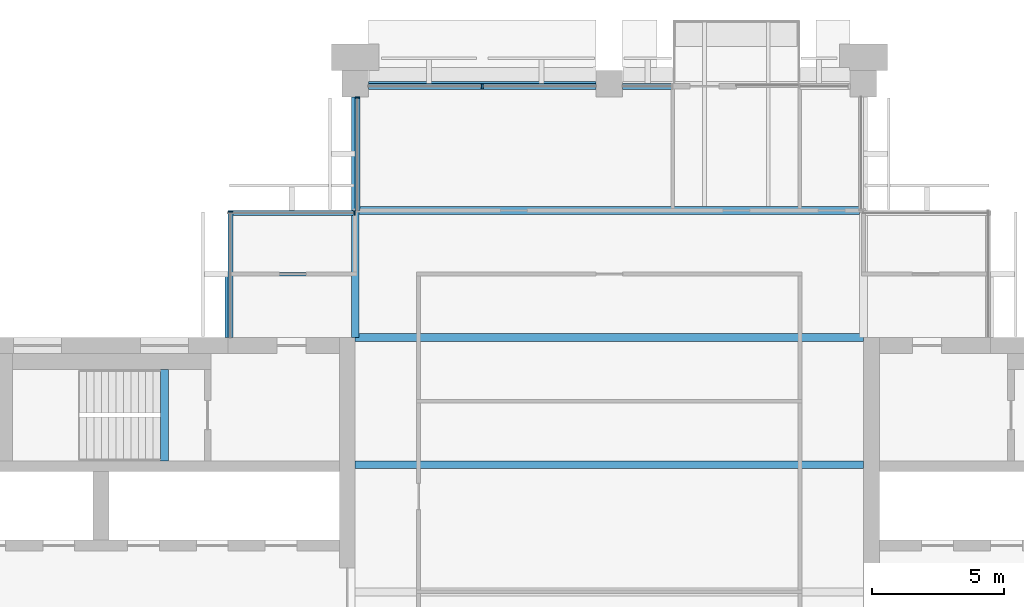
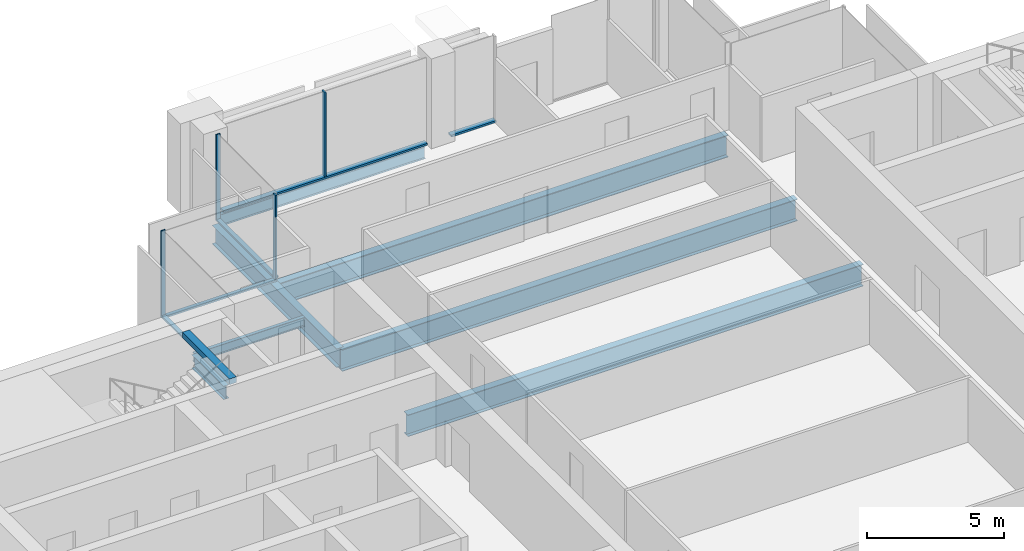
# One storey, part 5 of 13: 9 members, 8 beams, 4 elements without a shape of their own.
"""IFC4 building model written with IfcOpenShell, lengths in metres."""

from ifc_helpers import new_model, si_unit, direction, frame, origin, origin_2d, place, context, subcontext, project, spatial, rectangle, i_section, extrude, material, material_profile, profile_set, type_object, element, aggregate, save


model = new_model("IFC4")

# Units and contexts
model_context = context("Model", 3, precision=1e-05, world=origin(), true_north=direction((0.0, 1.0)))
body_context = subcontext(model_context, "Body", "Model", "MODEL_VIEW")
ifc_project = project(units=[si_unit("LENGTHUNIT", "METRE"), si_unit("AREAUNIT", "SQUARE_METRE"), si_unit("VOLUMEUNIT", "CUBIC_METRE"), si_unit("PLANEANGLEUNIT", "RADIAN"), si_unit("MASSUNIT", "GRAM", prefix="KILO")], contexts=[model_context])

# Site, building, storey
site_placement = place(None, origin())
site = spatial("IfcSite", under=ifc_project, at=site_placement, CompositionType="ELEMENT")
building_placement = place(site_placement, origin())
building = spatial("IfcBuilding", under=site, at=building_placement, Name="Baori Bourse Tower", CompositionType="ELEMENT")
storey_placement = place(building_placement, frame((0.0, 0.0, 326.300048828125)))
storey = spatial("IfcBuildingStorey", under=building, at=storey_placement, Name="L72", CompositionType="ELEMENT", Elevation=326.300048828125)

# Curtain wall, member
ifc_material_1 = material(Name="Pale anodised aluminium", Category="aluminium")
curtain_wall_type_1 = type_object("IfcCurtainWallType", Name="CW2 Curtain wall", PredefinedType="NOTDEFINED", material=ifc_material_1)
curtain_wall_1_placement = place(storey_placement, origin())
curtain_wall_1 = element("IfcCurtainWall", 1, at=curtain_wall_1_placement, inside=storey, type_object=curtain_wall_type_1, Name="Curtain wall CW2 L72 7", PredefinedType="NOTDEFINED")
ifc_material_2 = material(Name="Pale anodised aluminium", Category="aluminium")
ifc_material_profile_1 = material_profile(ifc_material_2, rectangle(XDim=0.179931640625, YDim=0.054931640625, at=origin_2d()), Name="Mullion 55x180")
ifc_profile_set_1 = profile_set([ifc_material_profile_1], Name="Pale anodised aluminium")
member_type_1 = type_object("IfcMemberType", Name="CW2 Curtain wall mullion", PredefinedType="MULLION", material=ifc_profile_set_1)
member_1_placement = place(storey_placement, frame((19.2900390625, 47.472412109375, 0.070068359375), z_axis=(0.0, 0.0, 1.0), x_axis=(1.0, 0.0, 0.0)))
member_1 = element("IfcMember", 2, at=member_1_placement, type_object=member_type_1, Name="Curtain wall CW2 mullion", PredefinedType="MULLION", context=body_context, shape_type="SweptSolid", body=[
    extrude(rectangle(XDim=0.179931640625, YDim=0.054931640625, at=origin_2d()), origin(), (0.0, 0.0, 1.0), 3.769775390625),
])

curtain_wall_2_placement = place(storey_placement, origin())
curtain_wall_2 = element("IfcCurtainWall", 3, at=curtain_wall_2_placement, inside=storey, type_object=curtain_wall_type_1, Name="Curtain wall CW2 L72 8", PredefinedType="NOTDEFINED")
member_2_placement = place(storey_placement, frame((19.172607421875, 43.110107421875, 0.070068359375), z_axis=(0.0, 0.0, 1.0), x_axis=(0.0, -1.0, 0.0)))
member_2 = element("IfcMember", 4, at=member_2_placement, type_object=member_type_1, Name="Curtain wall CW2 mullion", PredefinedType="MULLION", context=body_context, shape_type="SweptSolid", body=[
    extrude(rectangle(XDim=0.179931640625, YDim=0.054931640625, at=origin_2d()), origin(), (0.0, 0.0, 1.0), 3.769775390625),
])

curtain_wall_3_placement = place(storey_placement, origin())
curtain_wall_3 = element("IfcCurtainWall", 5, at=curtain_wall_3_placement, inside=storey, type_object=curtain_wall_type_1, Name="Curtain wall CW2 L72 9", PredefinedType="NOTDEFINED")
member_3_placement = place(storey_placement, frame((14.489990234375, 43.172607421875, 0.070068359375), z_axis=(0.0, 0.0, 1.0), x_axis=(1.0, 0.0, 0.0)))
member_3 = element("IfcMember", 6, at=member_3_placement, type_object=member_type_1, Name="Curtain wall CW2 mullion", PredefinedType="MULLION", context=body_context, shape_type="SweptSolid", body=[
    extrude(rectangle(XDim=0.179931640625, YDim=0.054931640625, at=origin_2d()), origin(), (0.0, 0.0, 1.0), 3.769775390625),
])

# Member
ifc_material_3 = material(Name="Pale anodised aluminium", Category="aluminium")
ifc_material_profile_2 = material_profile(ifc_material_3, rectangle(XDim=0.179931640625, YDim=0.070068359375, at=origin_2d()), Name="Transom 70x180")
ifc_profile_set_2 = profile_set([ifc_material_profile_2], Name="Pale anodised aluminium")
member_type_2 = type_object("IfcMemberType", Name="CW2 Curtain wall transom", PredefinedType="USERDEFINED", material=ifc_profile_set_2)
member_4_placement = place(storey_placement, frame((19.2900390625, 47.5, 0.034912109375), z_axis=(0.0, -1.0, 0.0), x_axis=(1.0, 0.0, 0.0)))
member_4 = element("IfcMember", 7, at=member_4_placement, type_object=member_type_2, Name="Curtain wall CW2 sill rail", ObjectType="TRANSOM", PredefinedType="USERDEFINED", context=body_context, shape_type="SweptSolid", body=[
    extrude(rectangle(XDim=0.179931640625, YDim=0.070068359375, at=origin_2d()), origin(), (0.0, 0.0, 1.0), 4.300048828125),
])

aggregate(curtain_wall_1, [member_4, member_1])

member_5_placement = place(storey_placement, frame((19.199951171875, 43.110107421875, 0.034912109375), z_axis=(-1.0, 0.0, 0.0), x_axis=(0.0, -1.0, 0.0)))
member_5 = element("IfcMember", 8, at=member_5_placement, type_object=member_type_2, Name="Curtain wall CW2 sill rail", ObjectType="TRANSOM", PredefinedType="USERDEFINED", context=body_context, shape_type="SweptSolid", body=[
    extrude(rectangle(XDim=0.179931640625, YDim=0.070068359375, at=origin_2d()), origin(), (0.0, 0.0, 1.0), 4.800048828125),
])

aggregate(curtain_wall_2, [member_5, member_2])

member_6_placement = place(storey_placement, frame((14.489990234375, 43.199951171875, 0.034912109375), z_axis=(0.0, -1.0, 0.0), x_axis=(1.0, 0.0, 0.0)))
member_6 = element("IfcMember", 9, at=member_6_placement, type_object=member_type_2, Name="Curtain wall CW2 sill rail", ObjectType="TRANSOM", PredefinedType="USERDEFINED", context=body_context, shape_type="SweptSolid", body=[
    extrude(rectangle(XDim=0.179931640625, YDim=0.070068359375, at=origin_2d()), origin(), (0.0, 0.0, 1.0), 4.800048828125),
])

aggregate(curtain_wall_3, [member_6, member_3])

# Curtain wall, members
ifc_material_4 = material(Name="Pale anodised aluminium", Category="aluminium")
curtain_wall_type_2 = type_object("IfcCurtainWallType", Name="CW5 Curtain wall", PredefinedType="NOTDEFINED", material=ifc_material_4)
curtain_wall_4_placement = place(storey_placement, origin())
curtain_wall_4 = element("IfcCurtainWall", 10, at=curtain_wall_4_placement, inside=storey, type_object=curtain_wall_type_2, Name="Curtain wall CW5 L72 6", PredefinedType="NOTDEFINED")
ifc_material_5 = material(Name="Pale anodised aluminium", Category="aluminium")
ifc_material_profile_3 = material_profile(ifc_material_5, rectangle(XDim=0.219970703125, YDim=0.06494140625, at=origin_2d()), Name="Mullion 65x220")
ifc_profile_set_3 = profile_set([ifc_material_profile_3], Name="Pale anodised aluminium")
member_type_3 = type_object("IfcMemberType", Name="CW5 Curtain wall mullion", PredefinedType="MULLION", material=ifc_profile_set_3)
member_7_placement = place(storey_placement, frame((24.0, 47.889892578125, 0.0849609375), z_axis=(0.0, 0.0, 1.0), x_axis=(0.0, -1.0, 0.0)))
member_7 = element("IfcMember", 11, at=member_7_placement, type_object=member_type_3, Name="Curtain wall CW5 mullion", PredefinedType="MULLION", context=body_context, shape_type="SweptSolid", body=[
    extrude(rectangle(XDim=0.219970703125, YDim=0.06494140625, at=origin_2d()), origin(), (0.0, 0.0, 1.0), 3.7548828125),
])
ifc_material_6 = material(Name="Pale anodised aluminium", Category="aluminium")
ifc_material_profile_4 = material_profile(ifc_material_6, rectangle(XDim=0.219970703125, YDim=0.0849609375, at=origin_2d()), Name="Transom 85x220")
ifc_profile_set_4 = profile_set([ifc_material_profile_4], Name="Pale anodised aluminium")
member_type_4 = type_object("IfcMemberType", Name="CW5 Curtain wall transom", PredefinedType="USERDEFINED", material=ifc_profile_set_4)
member_8_placement = place(storey_placement, frame((31.199951171875, 47.889892578125, 0.04248046875), z_axis=(-1.0, 0.0, 0.0), x_axis=(0.0, -1.0, 0.0)))
member_8 = element("IfcMember", 12, at=member_8_placement, type_object=member_type_4, Name="Curtain wall CW5 sill rail", ObjectType="TRANSOM", PredefinedType="USERDEFINED", context=body_context, shape_type="SweptSolid", body=[
    extrude(rectangle(XDim=0.219970703125, YDim=0.0849609375, at=origin_2d()), origin(), (0.0, 0.0, 1.0), 1.89990234375),
])
member_9_placement = place(storey_placement, frame((28.300048828125, 47.889892578125, 0.04248046875), z_axis=(-1.0, 0.0, 0.0), x_axis=(0.0, -1.0, 0.0)))
member_9 = element("IfcMember", 13, at=member_9_placement, type_object=member_type_4, Name="Curtain wall CW5 sill rail", ObjectType="TRANSOM", PredefinedType="USERDEFINED", context=body_context, shape_type="SweptSolid", body=[
    extrude(rectangle(XDim=0.219970703125, YDim=0.0849609375, at=origin_2d()), origin(), (0.0, 0.0, 1.0), 8.60009765625),
])
aggregate(curtain_wall_4, [member_8, member_9, member_7])

# Beams
ifc_material_7 = material(Name="Steel A992 Gr 50", Category="steel")
ifc_material_profile_5 = material_profile(ifc_material_7, i_section(OverallWidth=0.227783203125, OverallDepth=0.60205078125, WebThickness=0.010498046875, FlangeThickness=0.014892578125, at=origin_2d()), Name="W24x68")
ifc_profile_set_5 = profile_set([ifc_material_profile_5], Name="Steel A992 Gr 50")
beam_type_1 = type_object("IfcBeamType", Name="Core bracket W24x68", PredefinedType="BEAM", material=ifc_profile_set_5)
beam_1_placement = place(storey_placement, frame((14.39990234375, 38.39990234375, -0.4609375), z_axis=(0.0, 1.0, 0.0), x_axis=(-1.0, 0.0, 0.0)))
element("IfcBeam", 14, at=beam_1_placement, inside=storey, type_object=beam_type_1, Name="Core bracket L72", PredefinedType="BEAM", context=body_context, shape_type="SweptSolid", body=[
    extrude(i_section(OverallWidth=0.227783203125, OverallDepth=0.60205078125, WebThickness=0.010498046875, FlangeThickness=0.014892578125, at=origin_2d()), origin(), (0.0, 0.0, 1.0), 2.329833984375),
])
ifc_material_8 = material(Name="Steel A992 Gr 50", Category="steel")
ifc_material_profile_6 = material_profile(ifc_material_8, i_section(OverallWidth=0.1650390625, OverallDepth=0.52587890625, WebThickness=0.0087890625, FlangeThickness=0.011474609375, at=origin_2d()), Name="W21x44")
ifc_profile_set_6 = profile_set([ifc_material_profile_6], Name="Steel A992 Gr 50")
beam_type_2 = type_object("IfcBeamType", Name="Edge beam W21x44", PredefinedType="BEAM", material=ifc_profile_set_6)
beam_2_placement = place(storey_placement, frame((19.699951171875, 48.0, -0.4228515625), z_axis=(1.0, 0.0, 0.0), x_axis=(0.0, 1.0, 0.0)))
element("IfcBeam", 15, at=beam_2_placement, inside=storey, type_object=beam_type_2, Name="Edge beam L72", PredefinedType="BEAM", context=body_context, shape_type="SweptSolid", body=[
    extrude(i_section(OverallWidth=0.1650390625, OverallDepth=0.52587890625, WebThickness=0.0087890625, FlangeThickness=0.011474609375, at=origin_2d()), origin(), (0.0, 0.0, 1.0), 8.60009765625),
])
ifc_material_9 = material(Name="Steel A992 Gr 50", Category="steel")
ifc_material_profile_7 = material_profile(ifc_material_9, i_section(OverallWidth=0.2998046875, OverallDepth=0.97021484375, WebThickness=0.01611328125, FlangeThickness=0.02099609375, at=origin_2d()), Name="W40x149")
ifc_profile_set_7 = profile_set([ifc_material_profile_7], Name="Steel A992 Gr 50")
beam_type_3 = type_object("IfcBeamType", Name="Floor beam W40x149", PredefinedType="BEAM", material=ifc_profile_set_7)
for number, where, z_axis, x_axis, name in (
    (16, (19.199951171875, 33.60009765625, -0.645263671875), (1.0, 0.0, 0.0), (0.0, 1.0, 0.0), "Floor beam L72"),
    (17, (19.199951171875, 38.39990234375, -0.645263671875), (1.0, 0.0, 0.0), (0.0, 1.0, 0.0), "Floor beam L72"),
):
    element("IfcBeam", number, at=place(storey_placement, frame(where, z_axis=z_axis, x_axis=x_axis)), inside=storey, type_object=beam_type_3, Name=name, PredefinedType="BEAM", context=body_context, shape_type="SweptSolid", body=[
        extrude(i_section(OverallWidth=0.2998046875, OverallDepth=0.97021484375, WebThickness=0.01611328125, FlangeThickness=0.02099609375, at=origin_2d()), origin(), (0.0, 0.0, 1.0), 19.199951171875),
    ])
ifc_material_10 = material(Name="Steel A992 Gr 50", Category="steel")
ifc_material_profile_8 = material_profile(ifc_material_10, i_section(OverallWidth=0.2998046875, OverallDepth=0.990478515625, WebThickness=0.0166015625, FlangeThickness=0.030517578125, at=origin_2d()), Name="W40x183")
ifc_profile_set_8 = profile_set([ifc_material_profile_8], Name="Steel A992 Gr 50")
beam_type_4 = type_object("IfcBeamType", Name="Floor beam W40x183", PredefinedType="BEAM", material=ifc_profile_set_8)
beam_3_placement = place(storey_placement, frame((19.345947265625, 43.199951171875, -0.6552734375), z_axis=(1.0, 0.0, 0.0), x_axis=(0.0, 1.0, 0.0)))
element("IfcBeam", 18, at=beam_3_placement, inside=storey, type_object=beam_type_4, Name="Floor beam L72", PredefinedType="BEAM", context=body_context, shape_type="SweptSolid", body=[
    extrude(i_section(OverallWidth=0.2998046875, OverallDepth=0.990478515625, WebThickness=0.0166015625, FlangeThickness=0.030517578125, at=origin_2d()), origin(), (0.0, 0.0, 1.0), 18.901611328125),
])
ifc_material_11 = material(Name="Steel A992 Gr 50", Category="steel")
ifc_material_profile_9 = material_profile(ifc_material_11, i_section(OverallWidth=0.2919921875, OverallDepth=0.835693359375, WebThickness=0.013916015625, FlangeThickness=0.018798828125, at=origin_2d()), Name="W33x118")
ifc_profile_set_9 = profile_set([ifc_material_profile_9], Name="Steel A992 Gr 50")
beam_type_5 = type_object("IfcBeamType", Name="Girder W33x118", PredefinedType="BEAM", material=ifc_profile_set_9)
beam_4_placement = place(storey_placement, frame((19.199951171875, 38.39990234375, -0.577880859375), z_axis=(0.0, 1.0, 0.0), x_axis=(-1.0, 0.0, 0.0)))
element("IfcBeam", 19, at=beam_4_placement, inside=storey, type_object=beam_type_5, Name="Girder L72", PredefinedType="BEAM", context=body_context, shape_type="SweptSolid", body=[
    extrude(i_section(OverallWidth=0.2919921875, OverallDepth=0.835693359375, WebThickness=0.013916015625, FlangeThickness=0.018798828125, at=origin_2d()), origin(), (0.0, 0.0, 1.0), 9.10009765625),
])
ifc_material_12 = material(Name="Concrete f'c 50 MPa", Category="concrete")
ifc_material_profile_10 = material_profile(ifc_material_12, rectangle(XDim=0.300048828125, YDim=0.25, at=origin_2d()), Name="RC 300x250")
ifc_profile_set_10 = profile_set([ifc_material_profile_10], Name="Concrete f'c 50 MPa")
beam_type_6 = type_object("IfcBeamType", Name="Stair nib beam RC 300x250", PredefinedType="BEAM", material=ifc_profile_set_10)
beam_5_placement = place(storey_placement, frame((12.0, 33.75, 3.71484375), z_axis=(0.0, 1.0, 0.0), x_axis=(-1.0, 0.0, 0.0)))
element("IfcBeam", 20, at=beam_5_placement, inside=storey, type_object=beam_type_6, Name="Stair WB nib beam L73", PredefinedType="BEAM", context=body_context, shape_type="SweptSolid", body=[
    extrude(rectangle(XDim=0.300048828125, YDim=0.25, at=origin_2d()), origin(), (0.0, 0.0, 1.0), 3.449951171875),
])
ifc_material_13 = material(Name="Steel A992 Gr 50", Category="steel")
ifc_material_profile_11 = material_profile(ifc_material_13, i_section(OverallWidth=0.140380859375, OverallDepth=0.40380859375, WebThickness=0.007080078125, FlangeThickness=0.01123046875, at=origin_2d()), Name="W16x31")
ifc_profile_set_11 = profile_set([ifc_material_profile_11], Name="Steel A992 Gr 50")
beam_type_7 = type_object("IfcBeamType", Name="Trimmer beam W16x31", PredefinedType="BEAM", material=ifc_profile_set_11)
beam_6_placement = place(storey_placement, frame((14.39990234375, 40.800048828125, -0.362060546875), z_axis=(1.0, 0.0, 0.0), x_axis=(0.0, 1.0, 0.0)))
element("IfcBeam", 21, at=beam_6_placement, inside=storey, type_object=beam_type_7, Name="Trimmer beam L72", PredefinedType="BEAM", context=body_context, shape_type="SweptSolid", body=[
    extrude(i_section(OverallWidth=0.140380859375, OverallDepth=0.40380859375, WebThickness=0.007080078125, FlangeThickness=0.01123046875, at=origin_2d()), origin(), (0.0, 0.0, 1.0), 4.654052734375),
])

save(model, "model.ifc")
